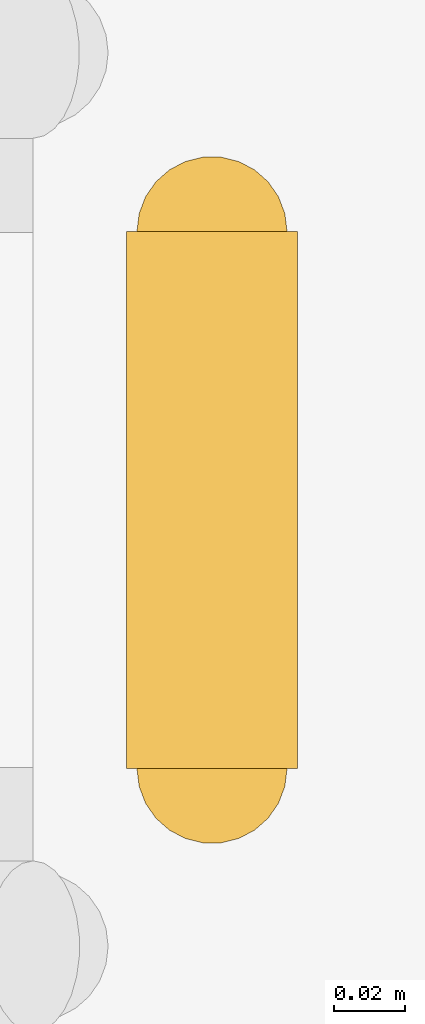
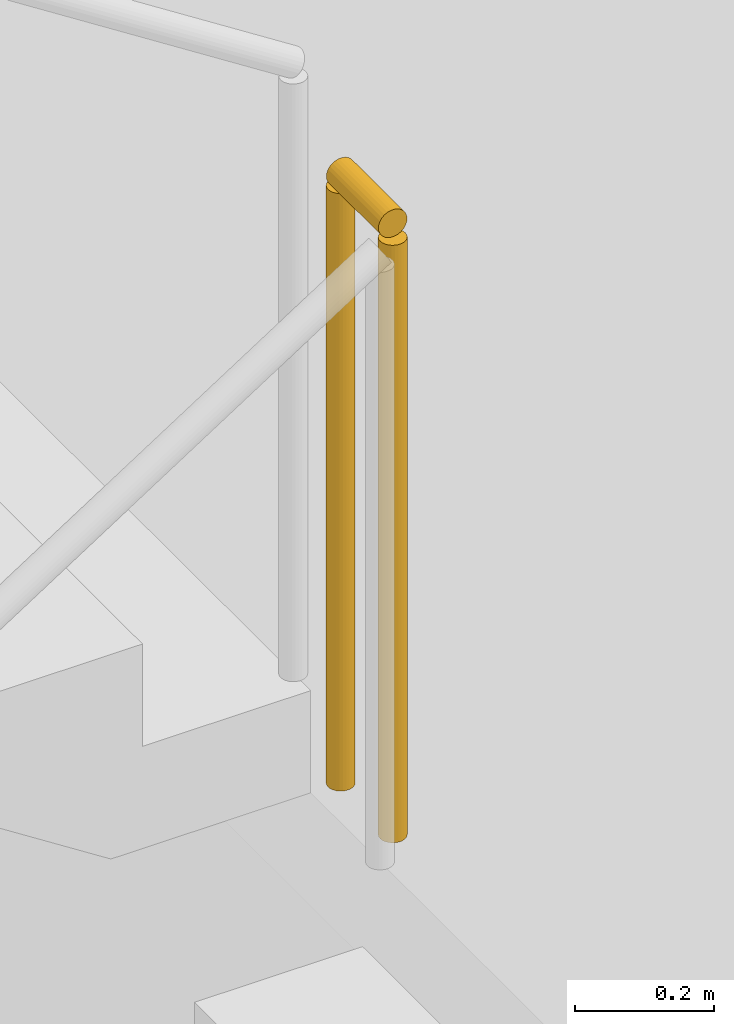
# One storey, part 66 of 67: 1 railing.
"""IFC4 building model written with IfcOpenShell, lengths in metres."""

from ifc_helpers import new_model, si_unit, direction, frame, origin, origin_2d, place, context, subcontext, project, spatial, circle, extrude, material, type_object, element, save


model = new_model("IFC4")

# Units and contexts
model_context = context("Model", 3, precision=1e-05, world=origin(), true_north=direction((0.0, 1.0)))
body_context = subcontext(model_context, "Body", "Model", "MODEL_VIEW")
ifc_project = project(units=[si_unit("LENGTHUNIT", "METRE"), si_unit("AREAUNIT", "SQUARE_METRE"), si_unit("VOLUMEUNIT", "CUBIC_METRE"), si_unit("PLANEANGLEUNIT", "RADIAN"), si_unit("MASSUNIT", "GRAM", prefix="KILO")], contexts=[model_context])

# Site, building, storey
site_placement = place(None, origin())
site = spatial("IfcSite", under=ifc_project, at=site_placement, CompositionType="ELEMENT")
building_placement = place(site_placement, origin())
building = spatial("IfcBuilding", under=site, at=building_placement, Name="Zlatogorsky Bluff Art Gallery", CompositionType="ELEMENT")
storey_placement = place(building_placement, frame((0.0, 0.0, -5.39990234375)))
storey = spatial("IfcBuildingStorey", under=building, at=storey_placement, Name="B1", CompositionType="ELEMENT", Elevation=-5.39990234375)

# Railing
ifc_material = material(Name="Architectural Bronze and Laminated Glass", Category="glass")
railing_type = type_object("IfcRailingType", Name="Gallery Guard Rail 1100mm", PredefinedType="GUARDRAIL", material=ifc_material)
railing_placement = place(storey_placement, frame((126.719970703125, 103.14990234375, 2.699951171875)))
element("IfcRailing", 1, at=railing_placement, inside=storey, type_object=railing_type, Name="B1 ST-03 stair guard 2", PredefinedType="GUARDRAIL", context=body_context, shape_type="SweptSolid", body=[
    extrude(circle(Radius=0.02392578125, at=origin_2d()), frame((0.0, 0.0, 1.076171875), z_axis=(0.0, 1.0, 0.0), x_axis=(-1.0, 0.0, 0.0)), (0.0, 0.0, 1.0), 0.150146484375),
    extrude(circle(Radius=0.02099609375, at=origin_2d()), origin(), (0.0, 0.0, 1.0), 1.052001953125),
    extrude(circle(Radius=0.02099609375, at=origin_2d()), frame((0.0, 0.150146484375, 0.0)), (0.0, 0.0, 1.0), 1.052001953125),
])

save(model, "model.ifc")
